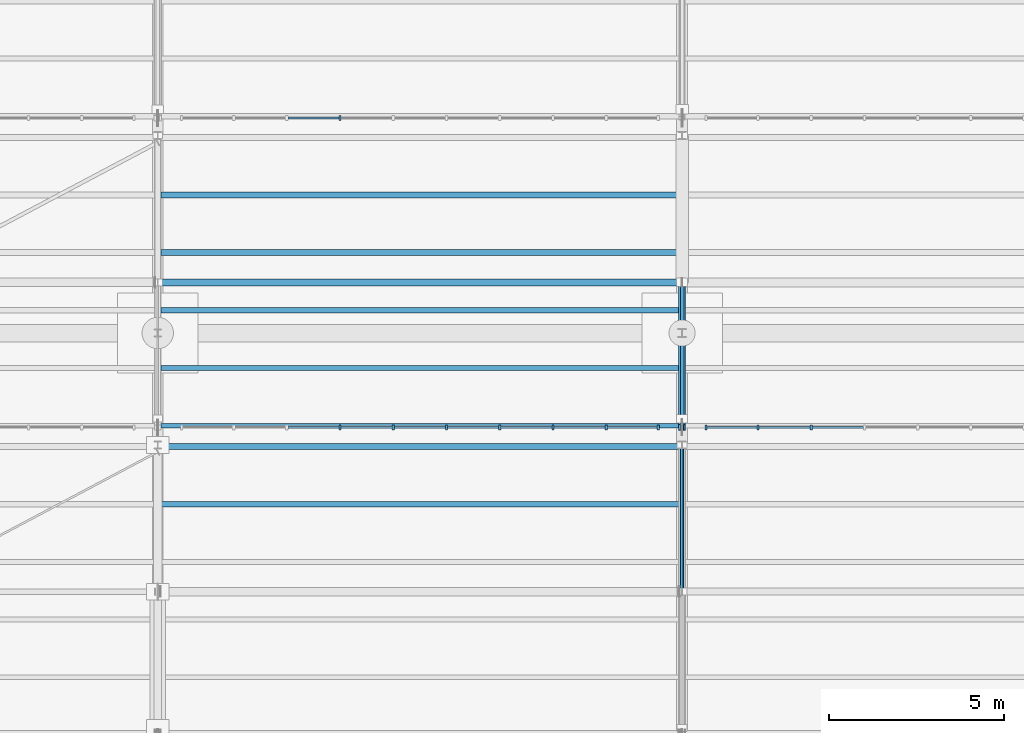
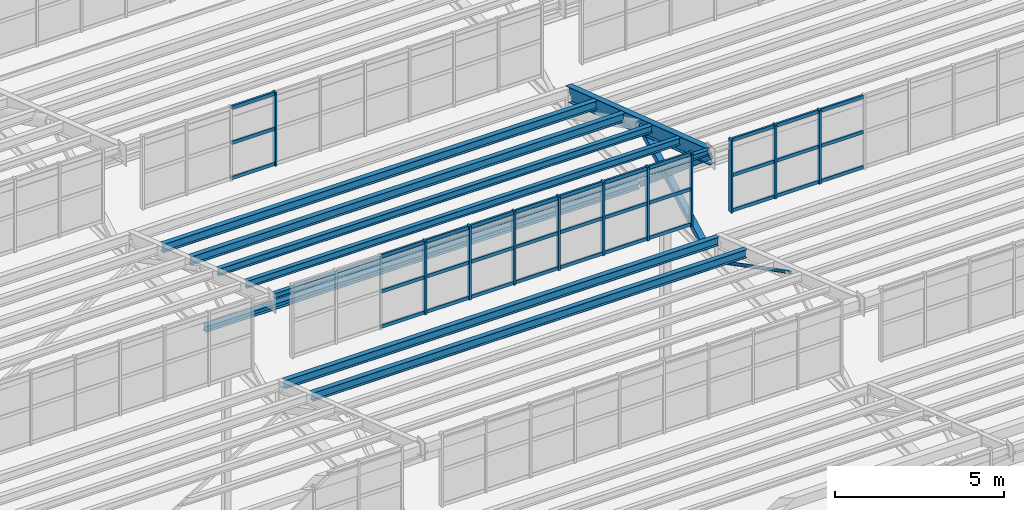
# One storey, part 80 of 285: 48 members, 8 beams, 3 elements without a shape of their own.
"""IFC4 building model written with IfcOpenShell, lengths in metres."""

from ifc_helpers import new_model, si_unit, direction, frame, origin, origin_2d, place, context, subcontext, project, spatial, rectangle, hollow_rectangle, hollow_circle, i_section, extrude, material, material_profile, profile_set, type_object, element, aggregate, save


model = new_model("IFC4")

# Units and contexts
model_context = context("Model", 3, precision=1e-05, world=origin(), true_north=direction((0.0, 1.0)))
body_context = subcontext(model_context, "Body", "Model", "MODEL_VIEW")
ifc_project = project(units=[si_unit("LENGTHUNIT", "METRE"), si_unit("AREAUNIT", "SQUARE_METRE"), si_unit("VOLUMEUNIT", "CUBIC_METRE"), si_unit("PLANEANGLEUNIT", "RADIAN"), si_unit("MASSUNIT", "GRAM", prefix="KILO")], contexts=[model_context])

# Site, building, storey
site_placement = place(None, origin())
site = spatial("IfcSite", under=ifc_project, at=site_placement, CompositionType="ELEMENT")
building_placement = place(site_placement, origin())
building = spatial("IfcBuilding", under=site, at=building_placement, Name="Solanera Park Tramway Depot", CompositionType="ELEMENT")
storey_placement = place(building_placement, origin())
storey = spatial("IfcBuildingStorey", under=building, at=storey_placement, Name="L00", CompositionType="ELEMENT", Elevation=0.0)

# Curtain wall, members
ifc_material_1 = material(Name="Bronze-anodised thermally broken aluminium curtain wall", Category="aluminium")
curtain_wall_type = type_object("IfcCurtainWallType", Name="Sawtooth Clerestory Monitor Curtain Wall", PredefinedType="NOTDEFINED", material=ifc_material_1)
curtain_wall_1_placement = place(storey_placement, origin())
curtain_wall_1 = element("IfcCurtainWall", 1, at=curtain_wall_1_placement, inside=storey, type_object=curtain_wall_type, Name="L00 Sawtooth Clerestory Monitor Curtain Wall #023", PredefinedType="NOTDEFINED")
ifc_material_2 = material(Name="Bronze-anodised structural aluminium 6063-T6", Category="aluminium")
ifc_material_profile_1 = material_profile(ifc_material_2, rectangle(XDim=0.06494140625, YDim=0.14990234375, at=origin_2d()), Name="Curtain Wall Mullion 65x150")
ifc_profile_set_1 = profile_set([ifc_material_profile_1], Name="Bronze-anodised structural aluminium 6063-T6")
member_type_1 = type_object("IfcMemberType", Name="Curtain Wall Mullion 65x150", PredefinedType="MULLION", material=ifc_profile_set_1)
member_1_placement = place(storey_placement, frame((65.216796875, 82.300048828125, 7.75), z_axis=(0.0, 0.0, 1.0), x_axis=(1.0, 0.0, 0.0)))
member_1 = element("IfcMember", 2, at=member_1_placement, type_object=member_type_1, Name="CW-L00-023 Mullion 4", PredefinedType="MULLION", context=body_context, shape_type="SweptSolid", body=[
    extrude(rectangle(XDim=0.06494140625, YDim=0.14990234375, at=origin_2d()), origin(), (0.0, 0.0, 1.0), 2.6611328125),
])
member_2_placement = place(storey_placement, frame((66.739013671875, 82.300048828125, 7.75), z_axis=(0.0, 0.0, 1.0), x_axis=(1.0, 0.0, 0.0)))
member_2 = element("IfcMember", 3, at=member_2_placement, type_object=member_type_1, Name="CW-L00-023 Mullion 5", PredefinedType="MULLION", context=body_context, shape_type="SweptSolid", body=[
    extrude(rectangle(XDim=0.06494140625, YDim=0.14990234375, at=origin_2d()), origin(), (0.0, 0.0, 1.0), 2.6611328125),
])
member_3_placement = place(storey_placement, frame((68.260986328125, 82.300048828125, 7.75), z_axis=(0.0, 0.0, 1.0), x_axis=(1.0, 0.0, 0.0)))
member_3 = element("IfcMember", 4, at=member_3_placement, type_object=member_type_1, Name="CW-L00-023 Mullion 6", PredefinedType="MULLION", context=body_context, shape_type="SweptSolid", body=[
    extrude(rectangle(XDim=0.06494140625, YDim=0.14990234375, at=origin_2d()), origin(), (0.0, 0.0, 1.0), 2.6611328125),
])
member_4_placement = place(storey_placement, frame((69.783203125, 82.300048828125, 7.75), z_axis=(0.0, 0.0, 1.0), x_axis=(1.0, 0.0, 0.0)))
member_4 = element("IfcMember", 5, at=member_4_placement, type_object=member_type_1, Name="CW-L00-023 Mullion 7", PredefinedType="MULLION", context=body_context, shape_type="SweptSolid", body=[
    extrude(rectangle(XDim=0.06494140625, YDim=0.14990234375, at=origin_2d()), origin(), (0.0, 0.0, 1.0), 2.6611328125),
])
member_5_placement = place(storey_placement, frame((71.3056640625, 82.300048828125, 7.75), z_axis=(0.0, 0.0, 1.0), x_axis=(1.0, 0.0, 0.0)))
member_5 = element("IfcMember", 6, at=member_5_placement, type_object=member_type_1, Name="CW-L00-023 Mullion 8", PredefinedType="MULLION", context=body_context, shape_type="SweptSolid", body=[
    extrude(rectangle(XDim=0.06494140625, YDim=0.14990234375, at=origin_2d()), origin(), (0.0, 0.0, 1.0), 2.6611328125),
])
member_6_placement = place(storey_placement, frame((72.827880859375, 82.300048828125, 7.75), z_axis=(0.0, 0.0, 1.0), x_axis=(1.0, 0.0, 0.0)))
member_6 = element("IfcMember", 7, at=member_6_placement, type_object=member_type_1, Name="CW-L00-023 Mullion 9", PredefinedType="MULLION", context=body_context, shape_type="SweptSolid", body=[
    extrude(rectangle(XDim=0.06494140625, YDim=0.14990234375, at=origin_2d()), origin(), (0.0, 0.0, 1.0), 2.6611328125),
])
member_7_placement = place(storey_placement, frame((74.3173828125, 82.300048828125, 7.75), z_axis=(0.0, 0.0, 1.0), x_axis=(1.0, 0.0, 0.0)))
member_7 = element("IfcMember", 8, at=member_7_placement, type_object=member_type_1, Name="CW-L00-023 Mullion 10", PredefinedType="MULLION", context=body_context, shape_type="SweptSolid", body=[
    extrude(rectangle(XDim=0.06494140625, YDim=0.14990234375, at=origin_2d()), origin(), (0.0, 0.0, 1.0), 2.6611328125),
])

curtain_wall_2_placement = place(storey_placement, origin())
curtain_wall_2 = element("IfcCurtainWall", 9, at=curtain_wall_2_placement, inside=storey, type_object=curtain_wall_type, Name="L00 Sawtooth Clerestory Monitor Curtain Wall #024", PredefinedType="NOTDEFINED")
member_8_placement = place(storey_placement, frame((75.6826171875, 82.300048828125, 7.75), z_axis=(0.0, 0.0, 1.0), x_axis=(1.0, 0.0, 0.0)))
member_8 = element("IfcMember", 10, at=member_8_placement, type_object=member_type_1, Name="CW-L00-024 Mullion 1", PredefinedType="MULLION", context=body_context, shape_type="SweptSolid", body=[
    extrude(rectangle(XDim=0.06494140625, YDim=0.14990234375, at=origin_2d()), origin(), (0.0, 0.0, 1.0), 2.6611328125),
])
member_9_placement = place(storey_placement, frame((77.172119140625, 82.300048828125, 7.75), z_axis=(0.0, 0.0, 1.0), x_axis=(1.0, 0.0, 0.0)))
member_9 = element("IfcMember", 11, at=member_9_placement, type_object=member_type_1, Name="CW-L00-024 Mullion 2", PredefinedType="MULLION", context=body_context, shape_type="SweptSolid", body=[
    extrude(rectangle(XDim=0.06494140625, YDim=0.14990234375, at=origin_2d()), origin(), (0.0, 0.0, 1.0), 2.6611328125),
])
member_10_placement = place(storey_placement, frame((78.6943359375, 82.300048828125, 7.75), z_axis=(0.0, 0.0, 1.0), x_axis=(1.0, 0.0, 0.0)))
member_10 = element("IfcMember", 12, at=member_10_placement, type_object=member_type_1, Name="CW-L00-024 Mullion 3", PredefinedType="MULLION", context=body_context, shape_type="SweptSolid", body=[
    extrude(rectangle(XDim=0.06494140625, YDim=0.14990234375, at=origin_2d()), origin(), (0.0, 0.0, 1.0), 2.6611328125),
])

# Curtain wall, member
curtain_wall_3_placement = place(storey_placement, origin())
curtain_wall_3 = element("IfcCurtainWall", 13, at=curtain_wall_3_placement, inside=storey, type_object=curtain_wall_type, Name="L00 Sawtooth Clerestory Monitor Curtain Wall #031", PredefinedType="NOTDEFINED")
member_11_placement = place(storey_placement, frame((65.216796875, 91.14990234375, 7.75), z_axis=(0.0, 0.0, 1.0), x_axis=(1.0, 0.0, 0.0)))
member_11 = element("IfcMember", 14, at=member_11_placement, type_object=member_type_1, Name="CW-L00-031 Mullion 4", PredefinedType="MULLION", context=body_context, shape_type="SweptSolid", body=[
    extrude(rectangle(XDim=0.06494140625, YDim=0.14990234375, at=origin_2d()), origin(), (0.0, 0.0, 1.0), 2.6611328125),
])

# Member
ifc_material_3 = material(Name="Bronze-anodised structural aluminium 6063-T6", Category="aluminium")
ifc_material_profile_2 = material_profile(ifc_material_3, rectangle(XDim=0.06494140625, YDim=0.1201171875, at=origin_2d()), Name="Curtain Wall Transom 65x120")
ifc_profile_set_2 = profile_set([ifc_material_profile_2], Name="Bronze-anodised structural aluminium 6063-T6")
member_type_2 = type_object("IfcMemberType", Name="Curtain Wall Transom 65x120", PredefinedType="USERDEFINED", material=ifc_profile_set_2)
member_12_placement = place(storey_placement, frame((63.722412109375, 82.300048828125, 7.81005859375), z_axis=(1.0, 0.0, 0.0), x_axis=(0.0, 1.0, 0.0)))
member_12 = element("IfcMember", 15, at=member_12_placement, type_object=member_type_2, Name="CW-L00-023 Transom R1.C3", ObjectType="TRANSOM", PredefinedType="USERDEFINED", context=body_context, shape_type="SweptSolid", body=[
    extrude(rectangle(XDim=0.06494140625, YDim=0.1201171875, at=origin_2d()), origin(), (0.0, 0.0, 1.0), 1.46630859375),
])

member_13_placement = place(storey_placement, frame((65.24462890625, 82.300048828125, 7.81005859375), z_axis=(1.0, 0.0, 0.0), x_axis=(0.0, 1.0, 0.0)))
member_13 = element("IfcMember", 16, at=member_13_placement, type_object=member_type_2, Name="CW-L00-023 Transom R1.C4", ObjectType="TRANSOM", PredefinedType="USERDEFINED", context=body_context, shape_type="SweptSolid", body=[
    extrude(rectangle(XDim=0.06494140625, YDim=0.1201171875, at=origin_2d()), origin(), (0.0, 0.0, 1.0), 1.46630859375),
])

member_14_placement = place(storey_placement, frame((66.766845703125, 82.300048828125, 7.81005859375), z_axis=(1.0, 0.0, 0.0), x_axis=(0.0, 1.0, 0.0)))
member_14 = element("IfcMember", 17, at=member_14_placement, type_object=member_type_2, Name="CW-L00-023 Transom R1.C5", ObjectType="TRANSOM", PredefinedType="USERDEFINED", context=body_context, shape_type="SweptSolid", body=[
    extrude(rectangle(XDim=0.06494140625, YDim=0.1201171875, at=origin_2d()), origin(), (0.0, 0.0, 1.0), 1.46630859375),
])

member_15_placement = place(storey_placement, frame((68.2890625, 82.300048828125, 7.81005859375), z_axis=(1.0, 0.0, 0.0), x_axis=(0.0, 1.0, 0.0)))
member_15 = element("IfcMember", 18, at=member_15_placement, type_object=member_type_2, Name="CW-L00-023 Transom R1.C6", ObjectType="TRANSOM", PredefinedType="USERDEFINED", context=body_context, shape_type="SweptSolid", body=[
    extrude(rectangle(XDim=0.06494140625, YDim=0.1201171875, at=origin_2d()), origin(), (0.0, 0.0, 1.0), 1.46630859375),
])

member_16_placement = place(storey_placement, frame((69.811279296875, 82.300048828125, 7.81005859375), z_axis=(1.0, 0.0, 0.0), x_axis=(0.0, 1.0, 0.0)))
member_16 = element("IfcMember", 19, at=member_16_placement, type_object=member_type_2, Name="CW-L00-023 Transom R1.C7", ObjectType="TRANSOM", PredefinedType="USERDEFINED", context=body_context, shape_type="SweptSolid", body=[
    extrude(rectangle(XDim=0.06494140625, YDim=0.1201171875, at=origin_2d()), origin(), (0.0, 0.0, 1.0), 1.46630859375),
])

member_17_placement = place(storey_placement, frame((71.33349609375, 82.300048828125, 7.81005859375), z_axis=(1.0, 0.0, 0.0), x_axis=(0.0, 1.0, 0.0)))
member_17 = element("IfcMember", 20, at=member_17_placement, type_object=member_type_2, Name="CW-L00-023 Transom R1.C8", ObjectType="TRANSOM", PredefinedType="USERDEFINED", context=body_context, shape_type="SweptSolid", body=[
    extrude(rectangle(XDim=0.06494140625, YDim=0.1201171875, at=origin_2d()), origin(), (0.0, 0.0, 1.0), 1.46630859375),
])

member_18_placement = place(storey_placement, frame((72.855712890625, 82.300048828125, 7.81005859375), z_axis=(1.0, 0.0, 0.0), x_axis=(0.0, 1.0, 0.0)))
member_18 = element("IfcMember", 21, at=member_18_placement, type_object=member_type_2, Name="CW-L00-023 Transom R1.C9", ObjectType="TRANSOM", PredefinedType="USERDEFINED", context=body_context, shape_type="SweptSolid", body=[
    extrude(rectangle(XDim=0.06494140625, YDim=0.1201171875, at=origin_2d()), origin(), (0.0, 0.0, 1.0), 1.433837890625),
])

member_19_placement = place(storey_placement, frame((63.722412109375, 82.300048828125, 9.08056640625), z_axis=(1.0, 0.0, 0.0), x_axis=(0.0, 1.0, 0.0)))
member_19 = element("IfcMember", 22, at=member_19_placement, type_object=member_type_2, Name="CW-L00-023 Transom R2.C3", ObjectType="TRANSOM", PredefinedType="USERDEFINED", context=body_context, shape_type="SweptSolid", body=[
    extrude(rectangle(XDim=0.06494140625, YDim=0.1201171875, at=origin_2d()), origin(), (0.0, 0.0, 1.0), 1.46630859375),
])

member_20_placement = place(storey_placement, frame((65.24462890625, 82.300048828125, 9.08056640625), z_axis=(1.0, 0.0, 0.0), x_axis=(0.0, 1.0, 0.0)))
member_20 = element("IfcMember", 23, at=member_20_placement, type_object=member_type_2, Name="CW-L00-023 Transom R2.C4", ObjectType="TRANSOM", PredefinedType="USERDEFINED", context=body_context, shape_type="SweptSolid", body=[
    extrude(rectangle(XDim=0.06494140625, YDim=0.1201171875, at=origin_2d()), origin(), (0.0, 0.0, 1.0), 1.46630859375),
])

member_21_placement = place(storey_placement, frame((66.766845703125, 82.300048828125, 9.08056640625), z_axis=(1.0, 0.0, 0.0), x_axis=(0.0, 1.0, 0.0)))
member_21 = element("IfcMember", 24, at=member_21_placement, type_object=member_type_2, Name="CW-L00-023 Transom R2.C5", ObjectType="TRANSOM", PredefinedType="USERDEFINED", context=body_context, shape_type="SweptSolid", body=[
    extrude(rectangle(XDim=0.06494140625, YDim=0.1201171875, at=origin_2d()), origin(), (0.0, 0.0, 1.0), 1.46630859375),
])

member_22_placement = place(storey_placement, frame((68.2890625, 82.300048828125, 9.08056640625), z_axis=(1.0, 0.0, 0.0), x_axis=(0.0, 1.0, 0.0)))
member_22 = element("IfcMember", 25, at=member_22_placement, type_object=member_type_2, Name="CW-L00-023 Transom R2.C6", ObjectType="TRANSOM", PredefinedType="USERDEFINED", context=body_context, shape_type="SweptSolid", body=[
    extrude(rectangle(XDim=0.06494140625, YDim=0.1201171875, at=origin_2d()), origin(), (0.0, 0.0, 1.0), 1.46630859375),
])

member_23_placement = place(storey_placement, frame((69.811279296875, 82.300048828125, 9.08056640625), z_axis=(1.0, 0.0, 0.0), x_axis=(0.0, 1.0, 0.0)))
member_23 = element("IfcMember", 26, at=member_23_placement, type_object=member_type_2, Name="CW-L00-023 Transom R2.C7", ObjectType="TRANSOM", PredefinedType="USERDEFINED", context=body_context, shape_type="SweptSolid", body=[
    extrude(rectangle(XDim=0.06494140625, YDim=0.1201171875, at=origin_2d()), origin(), (0.0, 0.0, 1.0), 1.46630859375),
])

member_24_placement = place(storey_placement, frame((71.33349609375, 82.300048828125, 9.08056640625), z_axis=(1.0, 0.0, 0.0), x_axis=(0.0, 1.0, 0.0)))
member_24 = element("IfcMember", 27, at=member_24_placement, type_object=member_type_2, Name="CW-L00-023 Transom R2.C8", ObjectType="TRANSOM", PredefinedType="USERDEFINED", context=body_context, shape_type="SweptSolid", body=[
    extrude(rectangle(XDim=0.06494140625, YDim=0.1201171875, at=origin_2d()), origin(), (0.0, 0.0, 1.0), 1.46630859375),
])

member_25_placement = place(storey_placement, frame((72.855712890625, 82.300048828125, 9.08056640625), z_axis=(1.0, 0.0, 0.0), x_axis=(0.0, 1.0, 0.0)))
member_25 = element("IfcMember", 28, at=member_25_placement, type_object=member_type_2, Name="CW-L00-023 Transom R2.C9", ObjectType="TRANSOM", PredefinedType="USERDEFINED", context=body_context, shape_type="SweptSolid", body=[
    extrude(rectangle(XDim=0.06494140625, YDim=0.1201171875, at=origin_2d()), origin(), (0.0, 0.0, 1.0), 1.433837890625),
])

member_26_placement = place(storey_placement, frame((63.722412109375, 82.300048828125, 10.351318359375), z_axis=(1.0, 0.0, 0.0), x_axis=(0.0, 1.0, 0.0)))
member_26 = element("IfcMember", 29, at=member_26_placement, type_object=member_type_2, Name="CW-L00-023 Transom R3.C3", ObjectType="TRANSOM", PredefinedType="USERDEFINED", context=body_context, shape_type="SweptSolid", body=[
    extrude(rectangle(XDim=0.06494140625, YDim=0.1201171875, at=origin_2d()), origin(), (0.0, 0.0, 1.0), 1.46630859375),
])

member_27_placement = place(storey_placement, frame((65.24462890625, 82.300048828125, 10.351318359375), z_axis=(1.0, 0.0, 0.0), x_axis=(0.0, 1.0, 0.0)))
member_27 = element("IfcMember", 30, at=member_27_placement, type_object=member_type_2, Name="CW-L00-023 Transom R3.C4", ObjectType="TRANSOM", PredefinedType="USERDEFINED", context=body_context, shape_type="SweptSolid", body=[
    extrude(rectangle(XDim=0.06494140625, YDim=0.1201171875, at=origin_2d()), origin(), (0.0, 0.0, 1.0), 1.46630859375),
])

member_28_placement = place(storey_placement, frame((66.766845703125, 82.300048828125, 10.351318359375), z_axis=(1.0, 0.0, 0.0), x_axis=(0.0, 1.0, 0.0)))
member_28 = element("IfcMember", 31, at=member_28_placement, type_object=member_type_2, Name="CW-L00-023 Transom R3.C5", ObjectType="TRANSOM", PredefinedType="USERDEFINED", context=body_context, shape_type="SweptSolid", body=[
    extrude(rectangle(XDim=0.06494140625, YDim=0.1201171875, at=origin_2d()), origin(), (0.0, 0.0, 1.0), 1.46630859375),
])

member_29_placement = place(storey_placement, frame((68.2890625, 82.300048828125, 10.351318359375), z_axis=(1.0, 0.0, 0.0), x_axis=(0.0, 1.0, 0.0)))
member_29 = element("IfcMember", 32, at=member_29_placement, type_object=member_type_2, Name="CW-L00-023 Transom R3.C6", ObjectType="TRANSOM", PredefinedType="USERDEFINED", context=body_context, shape_type="SweptSolid", body=[
    extrude(rectangle(XDim=0.06494140625, YDim=0.1201171875, at=origin_2d()), origin(), (0.0, 0.0, 1.0), 1.46630859375),
])

member_30_placement = place(storey_placement, frame((69.811279296875, 82.300048828125, 10.351318359375), z_axis=(1.0, 0.0, 0.0), x_axis=(0.0, 1.0, 0.0)))
member_30 = element("IfcMember", 33, at=member_30_placement, type_object=member_type_2, Name="CW-L00-023 Transom R3.C7", ObjectType="TRANSOM", PredefinedType="USERDEFINED", context=body_context, shape_type="SweptSolid", body=[
    extrude(rectangle(XDim=0.06494140625, YDim=0.1201171875, at=origin_2d()), origin(), (0.0, 0.0, 1.0), 1.46630859375),
])

member_31_placement = place(storey_placement, frame((71.33349609375, 82.300048828125, 10.351318359375), z_axis=(1.0, 0.0, 0.0), x_axis=(0.0, 1.0, 0.0)))
member_31 = element("IfcMember", 34, at=member_31_placement, type_object=member_type_2, Name="CW-L00-023 Transom R3.C8", ObjectType="TRANSOM", PredefinedType="USERDEFINED", context=body_context, shape_type="SweptSolid", body=[
    extrude(rectangle(XDim=0.06494140625, YDim=0.1201171875, at=origin_2d()), origin(), (0.0, 0.0, 1.0), 1.46630859375),
])

member_32_placement = place(storey_placement, frame((72.855712890625, 82.300048828125, 10.351318359375), z_axis=(1.0, 0.0, 0.0), x_axis=(0.0, 1.0, 0.0)))
member_32 = element("IfcMember", 35, at=member_32_placement, type_object=member_type_2, Name="CW-L00-023 Transom R3.C9", ObjectType="TRANSOM", PredefinedType="USERDEFINED", context=body_context, shape_type="SweptSolid", body=[
    extrude(rectangle(XDim=0.06494140625, YDim=0.1201171875, at=origin_2d()), origin(), (0.0, 0.0, 1.0), 1.433837890625),
])

aggregate(curtain_wall_1, [member_1, member_2, member_3, member_4, member_5, member_6, member_7, member_12, member_13, member_14, member_15, member_16, member_17, member_18, member_19, member_20, member_21, member_22, member_23, member_24, member_25, member_26, member_27, member_28, member_29, member_30, member_31, member_32])

member_33_placement = place(storey_placement, frame((75.71044921875, 82.300048828125, 7.81005859375), z_axis=(1.0, 0.0, 0.0), x_axis=(0.0, 1.0, 0.0)))
member_33 = element("IfcMember", 36, at=member_33_placement, type_object=member_type_2, Name="CW-L00-024 Transom R1.C1", ObjectType="TRANSOM", PredefinedType="USERDEFINED", context=body_context, shape_type="SweptSolid", body=[
    extrude(rectangle(XDim=0.06494140625, YDim=0.1201171875, at=origin_2d()), origin(), (0.0, 0.0, 1.0), 1.433837890625),
])

member_34_placement = place(storey_placement, frame((77.2001953125, 82.300048828125, 7.81005859375), z_axis=(1.0, 0.0, 0.0), x_axis=(0.0, 1.0, 0.0)))
member_34 = element("IfcMember", 37, at=member_34_placement, type_object=member_type_2, Name="CW-L00-024 Transom R1.C2", ObjectType="TRANSOM", PredefinedType="USERDEFINED", context=body_context, shape_type="SweptSolid", body=[
    extrude(rectangle(XDim=0.06494140625, YDim=0.1201171875, at=origin_2d()), origin(), (0.0, 0.0, 1.0), 1.46630859375),
])

member_35_placement = place(storey_placement, frame((78.722412109375, 82.300048828125, 7.81005859375), z_axis=(1.0, 0.0, 0.0), x_axis=(0.0, 1.0, 0.0)))
member_35 = element("IfcMember", 38, at=member_35_placement, type_object=member_type_2, Name="CW-L00-024 Transom R1.C3", ObjectType="TRANSOM", PredefinedType="USERDEFINED", context=body_context, shape_type="SweptSolid", body=[
    extrude(rectangle(XDim=0.06494140625, YDim=0.1201171875, at=origin_2d()), origin(), (0.0, 0.0, 1.0), 1.46630859375),
])

member_36_placement = place(storey_placement, frame((75.71044921875, 82.300048828125, 9.08056640625), z_axis=(1.0, 0.0, 0.0), x_axis=(0.0, 1.0, 0.0)))
member_36 = element("IfcMember", 39, at=member_36_placement, type_object=member_type_2, Name="CW-L00-024 Transom R2.C1", ObjectType="TRANSOM", PredefinedType="USERDEFINED", context=body_context, shape_type="SweptSolid", body=[
    extrude(rectangle(XDim=0.06494140625, YDim=0.1201171875, at=origin_2d()), origin(), (0.0, 0.0, 1.0), 1.433837890625),
])

member_37_placement = place(storey_placement, frame((77.2001953125, 82.300048828125, 9.08056640625), z_axis=(1.0, 0.0, 0.0), x_axis=(0.0, 1.0, 0.0)))
member_37 = element("IfcMember", 40, at=member_37_placement, type_object=member_type_2, Name="CW-L00-024 Transom R2.C2", ObjectType="TRANSOM", PredefinedType="USERDEFINED", context=body_context, shape_type="SweptSolid", body=[
    extrude(rectangle(XDim=0.06494140625, YDim=0.1201171875, at=origin_2d()), origin(), (0.0, 0.0, 1.0), 1.46630859375),
])

member_38_placement = place(storey_placement, frame((78.722412109375, 82.300048828125, 9.08056640625), z_axis=(1.0, 0.0, 0.0), x_axis=(0.0, 1.0, 0.0)))
member_38 = element("IfcMember", 41, at=member_38_placement, type_object=member_type_2, Name="CW-L00-024 Transom R2.C3", ObjectType="TRANSOM", PredefinedType="USERDEFINED", context=body_context, shape_type="SweptSolid", body=[
    extrude(rectangle(XDim=0.06494140625, YDim=0.1201171875, at=origin_2d()), origin(), (0.0, 0.0, 1.0), 1.46630859375),
])

member_39_placement = place(storey_placement, frame((75.71044921875, 82.300048828125, 10.351318359375), z_axis=(1.0, 0.0, 0.0), x_axis=(0.0, 1.0, 0.0)))
member_39 = element("IfcMember", 42, at=member_39_placement, type_object=member_type_2, Name="CW-L00-024 Transom R3.C1", ObjectType="TRANSOM", PredefinedType="USERDEFINED", context=body_context, shape_type="SweptSolid", body=[
    extrude(rectangle(XDim=0.06494140625, YDim=0.1201171875, at=origin_2d()), origin(), (0.0, 0.0, 1.0), 1.433837890625),
])

member_40_placement = place(storey_placement, frame((77.2001953125, 82.300048828125, 10.351318359375), z_axis=(1.0, 0.0, 0.0), x_axis=(0.0, 1.0, 0.0)))
member_40 = element("IfcMember", 43, at=member_40_placement, type_object=member_type_2, Name="CW-L00-024 Transom R3.C2", ObjectType="TRANSOM", PredefinedType="USERDEFINED", context=body_context, shape_type="SweptSolid", body=[
    extrude(rectangle(XDim=0.06494140625, YDim=0.1201171875, at=origin_2d()), origin(), (0.0, 0.0, 1.0), 1.46630859375),
])

member_41_placement = place(storey_placement, frame((78.722412109375, 82.300048828125, 10.351318359375), z_axis=(1.0, 0.0, 0.0), x_axis=(0.0, 1.0, 0.0)))
member_41 = element("IfcMember", 44, at=member_41_placement, type_object=member_type_2, Name="CW-L00-024 Transom R3.C3", ObjectType="TRANSOM", PredefinedType="USERDEFINED", context=body_context, shape_type="SweptSolid", body=[
    extrude(rectangle(XDim=0.06494140625, YDim=0.1201171875, at=origin_2d()), origin(), (0.0, 0.0, 1.0), 1.46630859375),
])

aggregate(curtain_wall_2, [member_8, member_9, member_10, member_33, member_34, member_35, member_36, member_37, member_38, member_39, member_40, member_41])

member_42_placement = place(storey_placement, frame((63.722412109375, 91.14990234375, 7.81005859375), z_axis=(1.0, 0.0, 0.0), x_axis=(0.0, 1.0, 0.0)))
member_42 = element("IfcMember", 45, at=member_42_placement, type_object=member_type_2, Name="CW-L00-031 Transom R1.C3", ObjectType="TRANSOM", PredefinedType="USERDEFINED", context=body_context, shape_type="SweptSolid", body=[
    extrude(rectangle(XDim=0.06494140625, YDim=0.1201171875, at=origin_2d()), origin(), (0.0, 0.0, 1.0), 1.46630859375),
])

member_43_placement = place(storey_placement, frame((63.722412109375, 91.14990234375, 9.08056640625), z_axis=(1.0, 0.0, 0.0), x_axis=(0.0, 1.0, 0.0)))
member_43 = element("IfcMember", 46, at=member_43_placement, type_object=member_type_2, Name="CW-L00-031 Transom R2.C3", ObjectType="TRANSOM", PredefinedType="USERDEFINED", context=body_context, shape_type="SweptSolid", body=[
    extrude(rectangle(XDim=0.06494140625, YDim=0.1201171875, at=origin_2d()), origin(), (0.0, 0.0, 1.0), 1.46630859375),
])

member_44_placement = place(storey_placement, frame((63.722412109375, 91.14990234375, 10.351318359375), z_axis=(1.0, 0.0, 0.0), x_axis=(0.0, 1.0, 0.0)))
member_44 = element("IfcMember", 47, at=member_44_placement, type_object=member_type_2, Name="CW-L00-031 Transom R3.C3", ObjectType="TRANSOM", PredefinedType="USERDEFINED", context=body_context, shape_type="SweptSolid", body=[
    extrude(rectangle(XDim=0.06494140625, YDim=0.1201171875, at=origin_2d()), origin(), (0.0, 0.0, 1.0), 1.46630859375),
])

aggregate(curtain_wall_3, [member_11, member_42, member_43, member_44])

# Members
ifc_material_4 = material(Name="Steel AS/NZS 1163 Grade C350L0", Category="steel")
ifc_material_profile_3 = material_profile(ifc_material_4, hollow_rectangle(XDim=0.199951171875, YDim=0.199951171875, WallThickness=0.008056640625, at=origin_2d()), Name="200x200x8.0 SHS")
ifc_profile_set_3 = profile_set([ifc_material_profile_3], Name="Steel AS/NZS 1163 Grade C350L0")
member_type_3 = type_object("IfcMemberType", Name="Roof Gantry Compression Strut 200x200x8.0 SHS", PredefinedType="STRUT", material=ifc_profile_set_3)
member_45_placement = place(storey_placement, frame((75.0, 82.550048828125, 6.5), z_axis=(0.0, 0.877666599941, 0.479271675929), x_axis=(-1.0, 0.0, 0.0)))
element("IfcMember", 48, at=member_45_placement, inside=storey, type_object=member_type_3, Name="Sawtooth ROOF TRUSS Strut 200x200x8.0 SHS #0149", PredefinedType="STRUT", context=body_context, shape_type="SweptSolid", body=[
    extrude(hollow_rectangle(XDim=0.199951171875, YDim=0.199951171875, WallThickness=0.008056640625, at=origin_2d()), origin(), (0.0, 0.0, 1.0), 4.443603515625),
])
ifc_material_5 = material(Name="Steel AS/NZS 3679.1 Grade 350", Category="steel")
ifc_material_profile_4 = material_profile(ifc_material_5, i_section(OverallWidth=0.203369140625, OverallDepth=0.203369140625, WebThickness=0.00732421875, FlangeThickness=0.010986328125, at=origin_2d()), Name="200UC46.2")
ifc_profile_set_4 = profile_set([ifc_material_profile_4], Name="Steel AS/NZS 3679.1 Grade 350")
member_type_4 = type_object("IfcMemberType", Name="Secondary Truss Chord 200UC46.2", PredefinedType="CHORD", material=ifc_profile_set_4)
member_46_placement = place(storey_placement, frame((60.087890625, 86.449951171875, 6.5), z_axis=(1.0, 0.0, 0.0), x_axis=(0.0, 1.0, 0.0)))
element("IfcMember", 49, at=member_46_placement, inside=storey, type_object=member_type_4, Name="Sawtooth Longitudinal Tie Chord 200UC46.2 #0171", PredefinedType="CHORD", context=body_context, shape_type="SweptSolid", body=[
    extrude(i_section(OverallWidth=0.203369140625, OverallDepth=0.203369140625, WebThickness=0.00732421875, FlangeThickness=0.010986328125, at=origin_2d()), origin(), (0.0, 0.0, 1.0), 14.82421875),
])

# Beams
ifc_material_6 = material(Name="Steel AS/NZS 3679.1 Grade 350", Category="steel")
ifc_material_profile_5 = material_profile(ifc_material_6, i_section(OverallWidth=0.209228515625, OverallDepth=0.532958984375, WebThickness=0.01025390625, FlangeThickness=0.015625, at=origin_2d()), Name="530UB92.4")
ifc_profile_set_5 = profile_set([ifc_material_profile_5], Name="Steel AS/NZS 3679.1 Grade 350")
beam_type_1 = type_object("IfcBeamType", Name="Steel Beam 530UB92.4", PredefinedType="BEAM", material=ifc_profile_set_5)
beam_1_placement = place(storey_placement, frame((75.0, 82.300048828125, 10.018310546875), z_axis=(0.0, 0.948319437663, -0.317317261034), x_axis=(-1.0, 0.0, 0.0)))
element("IfcBeam", 50, at=beam_1_placement, inside=storey, type_object=beam_type_1, Name="Sawtooth ROOF TRUSS Top Rafter 530UB92.4 B04-T6", PredefinedType="BEAM", context=body_context, shape_type="SweptSolid", body=[
    extrude(i_section(OverallWidth=0.209228515625, OverallDepth=0.532958984375, WebThickness=0.01025390625, FlangeThickness=0.015625, at=origin_2d()), origin(), (0.0, 0.0, 1.0), 8.804931640625),
])
ifc_material_7 = material(Name="Steel AS/NZS 3679.1 Grade 350", Category="steel")
ifc_material_profile_6 = material_profile(ifc_material_7, i_section(OverallWidth=0.13330078125, OverallDepth=0.203125, WebThickness=0.005859375, FlangeThickness=0.0078125, at=origin_2d()), Name="200UB25.4")
ifc_profile_set_6 = profile_set([ifc_material_profile_6], Name="Steel AS/NZS 3679.1 Grade 350")
beam_type_2 = type_object("IfcBeamType", Name="Steel Joist Purlin 200UB25.4", PredefinedType="JOIST", material=ifc_profile_set_6)
beam_2_placement = place(storey_placement, frame((60.087158203125, 82.35009765625, 10.166259765625), z_axis=(1.0, 0.0, 0.0), x_axis=(0.0, 1.0, 0.0)))
element("IfcBeam", 51, at=beam_2_placement, inside=storey, type_object=beam_type_2, Name="Sawtooth Roof Purlin 200UB25.4 B04.1", PredefinedType="JOIST", context=body_context, shape_type="SweptSolid", body=[
    extrude(i_section(OverallWidth=0.13330078125, OverallDepth=0.203125, WebThickness=0.005859375, FlangeThickness=0.0078125, at=origin_2d()), origin(), (0.0, 0.0, 1.0), 14.816162109375),
])
ifc_material_8 = material(Name="Steel AS/NZS 3679.1 Grade 350", Category="steel")
ifc_material_profile_7 = material_profile(ifc_material_8, i_section(OverallWidth=0.14599609375, OverallDepth=0.251708984375, WebThickness=0.006103515625, FlangeThickness=0.008544921875, at=origin_2d()), Name="250UB31.4")
ifc_profile_set_7 = profile_set([ifc_material_profile_7], Name="Steel AS/NZS 3679.1 Grade 350")
beam_type_3 = type_object("IfcBeamType", Name="Steel Joist Purlin 250UB31.4", PredefinedType="JOIST", material=ifc_profile_set_7)
beam_3_placement = place(storey_placement, frame((60.087158203125, 84.0, 9.587890625), z_axis=(1.0, 0.0, 0.0), x_axis=(0.0, 1.0, 0.0)))
element("IfcBeam", 52, at=beam_3_placement, inside=storey, type_object=beam_type_3, Name="Sawtooth Roof Purlin 250UB31.4 B04.2", PredefinedType="JOIST", context=body_context, shape_type="SweptSolid", body=[
    extrude(i_section(OverallWidth=0.14599609375, OverallDepth=0.251708984375, WebThickness=0.006103515625, FlangeThickness=0.008544921875, at=origin_2d()), origin(), (0.0, 0.0, 1.0), 14.816162109375),
])
ifc_material_9 = material(Name="Steel AS/NZS 3679.1 Grade 350", Category="steel")
ifc_material_profile_8 = material_profile(ifc_material_9, i_section(OverallWidth=0.146484375, OverallDepth=0.256103515625, WebThickness=0.00634765625, FlangeThickness=0.010986328125, at=origin_2d()), Name="250UB37.3")
ifc_profile_set_8 = profile_set([ifc_material_profile_8], Name="Steel AS/NZS 3679.1 Grade 350")
beam_type_4 = type_object("IfcBeamType", Name="Steel Joist Purlin 250UB37.3", PredefinedType="JOIST", material=ifc_profile_set_8)
beam_4_placement = place(storey_placement, frame((60.087158203125, 85.64990234375, 9.033203125), z_axis=(1.0, 0.0, 0.0), x_axis=(0.0, 1.0, 0.0)))
element("IfcBeam", 53, at=beam_4_placement, inside=storey, type_object=beam_type_4, Name="Sawtooth Roof Purlin 250UB37.3 B04.3", PredefinedType="JOIST", context=body_context, shape_type="SweptSolid", body=[
    extrude(i_section(OverallWidth=0.146484375, OverallDepth=0.256103515625, WebThickness=0.00634765625, FlangeThickness=0.010986328125, at=origin_2d()), origin(), (0.0, 0.0, 1.0), 14.816162109375),
])
ifc_material_10 = material(Name="Steel AS/NZS 3679.1 Grade 350", Category="steel")
ifc_material_profile_9 = material_profile(ifc_material_10, i_section(OverallWidth=0.1650390625, OverallDepth=0.3037109375, WebThickness=0.006103515625, FlangeThickness=0.01025390625, at=origin_2d()), Name="310UB40.4")
ifc_profile_set_9 = profile_set([ifc_material_profile_9], Name="Steel AS/NZS 3679.1 Grade 350")
beam_type_5 = type_object("IfcBeamType", Name="Steel Joist Purlin 310UB40.4", PredefinedType="JOIST", material=ifc_profile_set_9)
beam_5_placement = place(storey_placement, frame((60.080810546875, 80.10009765625, 7.902099609375), z_axis=(1.0, 0.0, 0.0), x_axis=(0.0, 1.0, 0.0)))
element("IfcBeam", 54, at=beam_5_placement, inside=storey, type_object=beam_type_5, Name="Sawtooth Roof Purlin 310UB40.4 B03.5", PredefinedType="JOIST", context=body_context, shape_type="SweptSolid", body=[
    extrude(i_section(OverallWidth=0.1650390625, OverallDepth=0.3037109375, WebThickness=0.006103515625, FlangeThickness=0.01025390625, at=origin_2d()), origin(), (0.0, 0.0, 1.0), 14.83203125),
])
beam_6_placement = place(storey_placement, frame((60.087158203125, 87.300048828125, 8.454345703125), z_axis=(1.0, 0.0, 0.0), x_axis=(0.0, 1.0, 0.0)))
element("IfcBeam", 55, at=beam_6_placement, inside=storey, type_object=beam_type_5, Name="Sawtooth Roof Purlin 310UB40.4 B04.4", PredefinedType="JOIST", context=body_context, shape_type="SweptSolid", body=[
    extrude(i_section(OverallWidth=0.1650390625, OverallDepth=0.3037109375, WebThickness=0.006103515625, FlangeThickness=0.01025390625, at=origin_2d()), origin(), (0.0, 0.0, 1.0), 14.816162109375),
])
ifc_material_11 = material(Name="Steel AS/NZS 3679.1 Grade 350", Category="steel")
ifc_material_profile_10 = material_profile(ifc_material_11, i_section(OverallWidth=0.166015625, OverallDepth=0.30712890625, WebThickness=0.006591796875, FlangeThickness=0.01171875, at=origin_2d()), Name="310UB46.2")
ifc_profile_set_10 = profile_set([ifc_material_profile_10], Name="Steel AS/NZS 3679.1 Grade 350")
beam_type_6 = type_object("IfcBeamType", Name="Steel Joist Purlin 310UB46.2", PredefinedType="JOIST", material=ifc_profile_set_10)
beam_7_placement = place(storey_placement, frame((60.080810546875, 81.75, 7.348388671875), z_axis=(1.0, 0.0, 0.0), x_axis=(0.0, 1.0, 0.0)))
element("IfcBeam", 56, at=beam_7_placement, inside=storey, type_object=beam_type_6, Name="Sawtooth Roof Purlin 310UB46.2 B03.6", PredefinedType="JOIST", context=body_context, shape_type="SweptSolid", body=[
    extrude(i_section(OverallWidth=0.166015625, OverallDepth=0.30712890625, WebThickness=0.006591796875, FlangeThickness=0.01171875, at=origin_2d()), origin(), (0.0, 0.0, 1.0), 14.83203125),
])
beam_8_placement = place(storey_placement, frame((60.087158203125, 88.949951171875, 7.900390625), z_axis=(1.0, 0.0, 0.0), x_axis=(0.0, 1.0, 0.0)))
element("IfcBeam", 57, at=beam_8_placement, inside=storey, type_object=beam_type_6, Name="Sawtooth Roof Purlin 310UB46.2 B04.5", PredefinedType="JOIST", context=body_context, shape_type="SweptSolid", body=[
    extrude(i_section(OverallWidth=0.166015625, OverallDepth=0.30712890625, WebThickness=0.006591796875, FlangeThickness=0.01171875, at=origin_2d()), origin(), (0.0, 0.0, 1.0), 14.816162109375),
])

# Members
ifc_material_12 = material(Name="Steel AS/NZS 1163 Grade C350L0", Category="steel")
ifc_material_profile_11 = material_profile(ifc_material_12, hollow_circle(Radius=0.05712890625, WallThickness=0.0048828125, at=origin_2d()), Name="114.3x4.8 CHS")
ifc_profile_set_11 = profile_set([ifc_material_profile_11], Name="Steel AS/NZS 1163 Grade C350L0")
member_type_5 = type_object("IfcMemberType", Name="Truss and Frame Brace 114.3x4.8 CHS", PredefinedType="BRACE", material=ifc_profile_set_11)
member_47_placement = place(storey_placement, frame((75.0, 81.800048828125, 6.5), z_axis=(0.0, -0.888641030015, 0.458603445008), x_axis=(1.0, 0.0, 0.0)))
element("IfcMember", 58, at=member_47_placement, inside=storey, type_object=member_type_5, Name="Sawtooth ROOF TRUSS Diagonal 114.3x4.8 CHS #0101", PredefinedType="BRACE", context=body_context, shape_type="SweptSolid", body=[
    extrude(hollow_circle(Radius=0.05712890625, WallThickness=0.0048828125, at=origin_2d()), origin(), (0.0, 0.0, 1.0), 4.726318359375),
])
ifc_material_13 = material(Name="Steel AS/NZS 1163 Grade C350L0", Category="steel")
ifc_material_profile_12 = material_profile(ifc_material_13, hollow_rectangle(XDim=0.10009765625, YDim=0.199951171875, WallThickness=0.006103515625, at=origin_2d()), Name="200x100x6.0 RHS")
ifc_profile_set_12 = profile_set([ifc_material_profile_12], Name="Steel AS/NZS 1163 Grade C350L0")
member_type_6 = type_object("IfcMemberType", Name="Truss and Frame Brace 200x100x6.0 RHS", PredefinedType="BRACE", material=ifc_profile_set_12)
member_48_placement = place(storey_placement, frame((75.0, 86.449951171875, 6.5), z_axis=(0.0, -0.762764662408, 0.646676170724), x_axis=(1.0, 0.0, 0.0)))
element("IfcMember", 59, at=member_48_placement, inside=storey, type_object=member_type_6, Name="Sawtooth ROOF TRUSS Web Brace 200x100x6.0 RHS #0147", PredefinedType="BRACE", context=body_context, shape_type="SweptSolid", body=[
    extrude(hollow_rectangle(XDim=0.10009765625, YDim=0.199951171875, WallThickness=0.006103515625, at=origin_2d()), origin(), (0.0, 0.0, 1.0), 5.440673828125),
])

save(model, "model.ifc")
